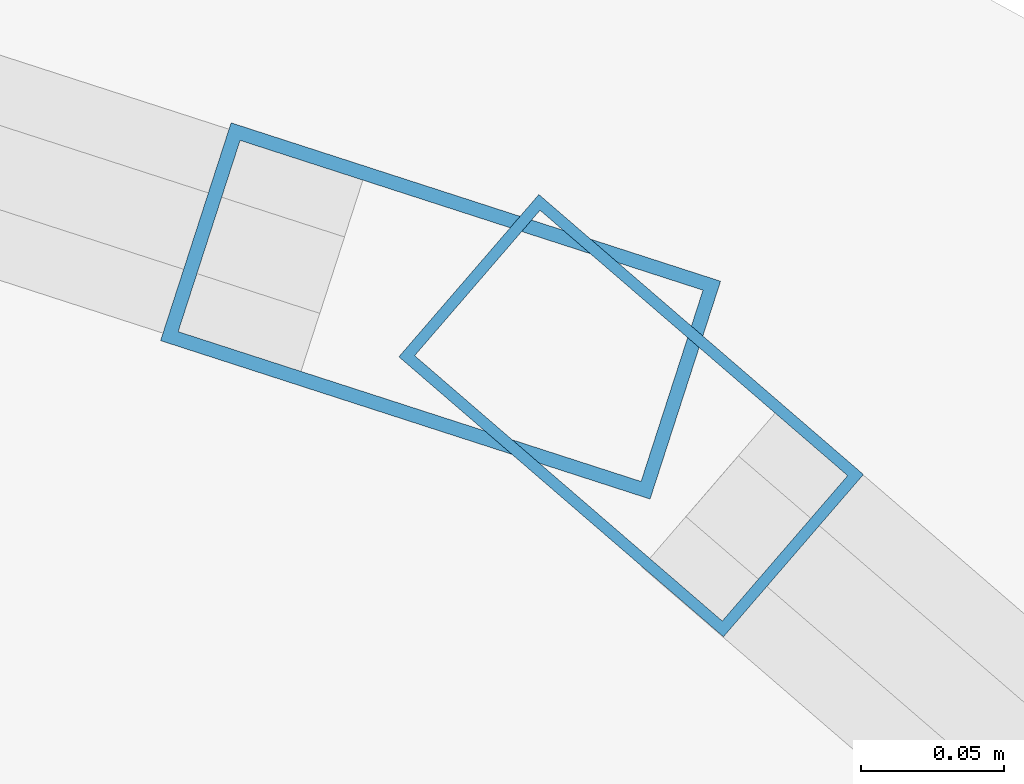
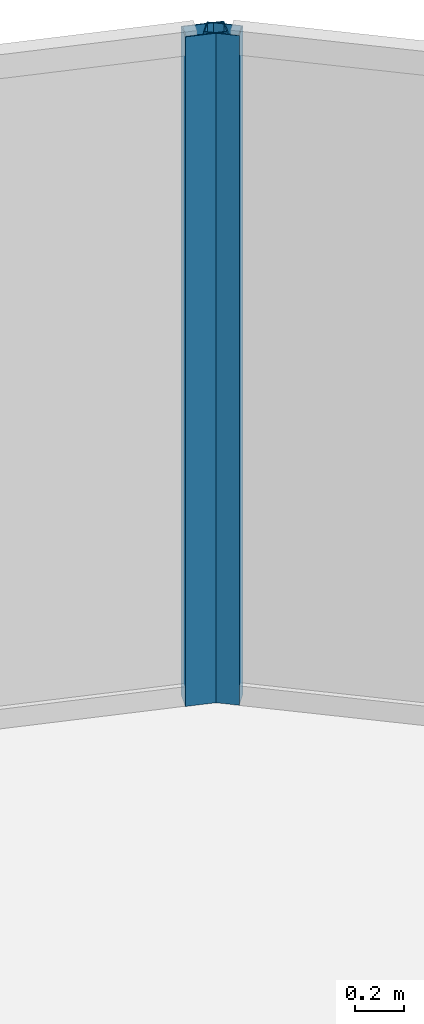
# One storey, part 19 of 33: 2 members, 2 elements without a shape of their own.
"""IFC4 building model written with IfcOpenShell, lengths in metres."""

from ifc_helpers import new_model, si_unit, direction, frame, origin, origin_2d, place, context, subcontext, project, spatial, hollow_rectangle, extrude, material, layer, layer_set, material_profile, profile_set, type_object, element, aggregate, save


model = new_model("IFC4")

# Units and contexts
model_context = context("Model", 3, precision=1e-05, world=origin(), true_north=direction((0.0, 1.0)))
body_context = subcontext(model_context, "Body", "Model", "MODEL_VIEW")
ifc_project = project(units=[si_unit("LENGTHUNIT", "METRE"), si_unit("AREAUNIT", "SQUARE_METRE"), si_unit("VOLUMEUNIT", "CUBIC_METRE"), si_unit("PLANEANGLEUNIT", "RADIAN"), si_unit("MASSUNIT", "GRAM", prefix="KILO")], contexts=[model_context])

# Site, building, storey
site_placement = place(None, origin())
site = spatial("IfcSite", under=ifc_project, at=site_placement, CompositionType="ELEMENT")
building_placement = place(site_placement, origin())
building = spatial("IfcBuilding", under=site, at=building_placement, Name="Kazevale Care Tower and Concert Hall", CompositionType="ELEMENT")
storey_placement = place(building_placement, frame((0.0, 0.0, 52.800048828125)))
storey = spatial("IfcBuildingStorey", under=building, at=storey_placement, Name="L13", CompositionType="ELEMENT", Elevation=52.800048828125)

# Curtain wall, member
ifc_material_1 = material(Name="Aluminium 6063-T6 and Low-E Glass", Category="aluminium")
ifc_layer_1 = layer(ifc_material_1, 0.179931640625)
ifc_layer_set_1 = layer_set([ifc_layer_1], Name="Aluminium 6063-T6 and Low-E Glass")
curtain_wall_type_1 = type_object("IfcCurtainWallType", Name="Convex Checkerboard Finned Curtain Wall CW-2", PredefinedType="NOTDEFINED", material=ifc_layer_set_1)
curtain_wall_1_placement = place(storey_placement, origin())
curtain_wall_1 = element("IfcCurtainWall", 1, at=curtain_wall_1_placement, inside=storey, type_object=curtain_wall_type_1, Name="cw:L13:f16", PredefinedType="NOTDEFINED")
ifc_material_2 = material(Name="Aluminium 6063-T6", Category="aluminium")
ifc_material_profile_1 = material_profile(ifc_material_2, hollow_rectangle(XDim=0.080078125, YDim=0.179931640625, WallThickness=0.0048828125, at=origin_2d()), Name="ALU80x180x5")
ifc_profile_set_1 = profile_set([ifc_material_profile_1], Name="Aluminium 6063-T6")
member_type_1 = type_object("IfcMemberType", Name="CW-2 Mullion ALU80x180x5", PredefinedType="MULLION", material=ifc_profile_set_1)
member_1_placement = place(storey_placement, frame((63.891845703125, 61.240234375, 0.0), z_axis=(0.0, 0.0, 1.0), x_axis=(0.307925769029, 0.951410385043, 0.0)))
member_1 = element("IfcMember", 2, at=member_1_placement, type_object=member_type_1, Name="CW-2 mullion 2", PredefinedType="MULLION", context=body_context, shape_type="SweptSolid", body=[
    extrude(hollow_rectangle(XDim=0.080078125, YDim=0.179931640625, WallThickness=0.0048828125, at=origin_2d()), origin(), (0.0, 0.0, 1.0), 3.35986328125),
])
aggregate(curtain_wall_1, [member_1])

ifc_layer_2 = layer(ifc_material_1, 0.179931640625)
ifc_layer_set_2 = layer_set([ifc_layer_2], Name="Aluminium 6063-T6 and Low-E Glass")
curtain_wall_type_2 = type_object("IfcCurtainWallType", Name="Convex Recessed Sunroom Curtain Wall CW-3", PredefinedType="NOTDEFINED", material=ifc_layer_set_2)
curtain_wall_2_placement = place(storey_placement, origin())
curtain_wall_2 = element("IfcCurtainWall", 3, at=curtain_wall_2_placement, inside=storey, type_object=curtain_wall_type_2, Name="cw:L13:f17", PredefinedType="NOTDEFINED")
ifc_material_profile_2 = material_profile(ifc_material_2, hollow_rectangle(XDim=0.074951171875, YDim=0.14990234375, WallThickness=0.00390625, at=origin_2d()), Name="ALU75x150x4")
ifc_profile_set_2 = profile_set([ifc_material_profile_2], Name="Aluminium 6063-T6")
member_type_2 = type_object("IfcMemberType", Name="CW-3 Mullion ALU75x150x4", PredefinedType="MULLION", material=ifc_profile_set_2)
member_2_placement = place(storey_placement, frame((63.95849609375, 61.20361328125, 0.0), z_axis=(0.0, 0.0, 1.0), x_axis=(0.653183596561, 0.757199570248, 0.0)))
member_2 = element("IfcMember", 4, at=member_2_placement, type_object=member_type_2, Name="CW-3 mullion 1", PredefinedType="MULLION", context=body_context, shape_type="SweptSolid", body=[
    extrude(hollow_rectangle(XDim=0.074951171875, YDim=0.14990234375, WallThickness=0.00390625, at=origin_2d()), origin(), (0.0, 0.0, 1.0), 3.35986328125),
])
aggregate(curtain_wall_2, [member_2])

save(model, "model.ifc")
